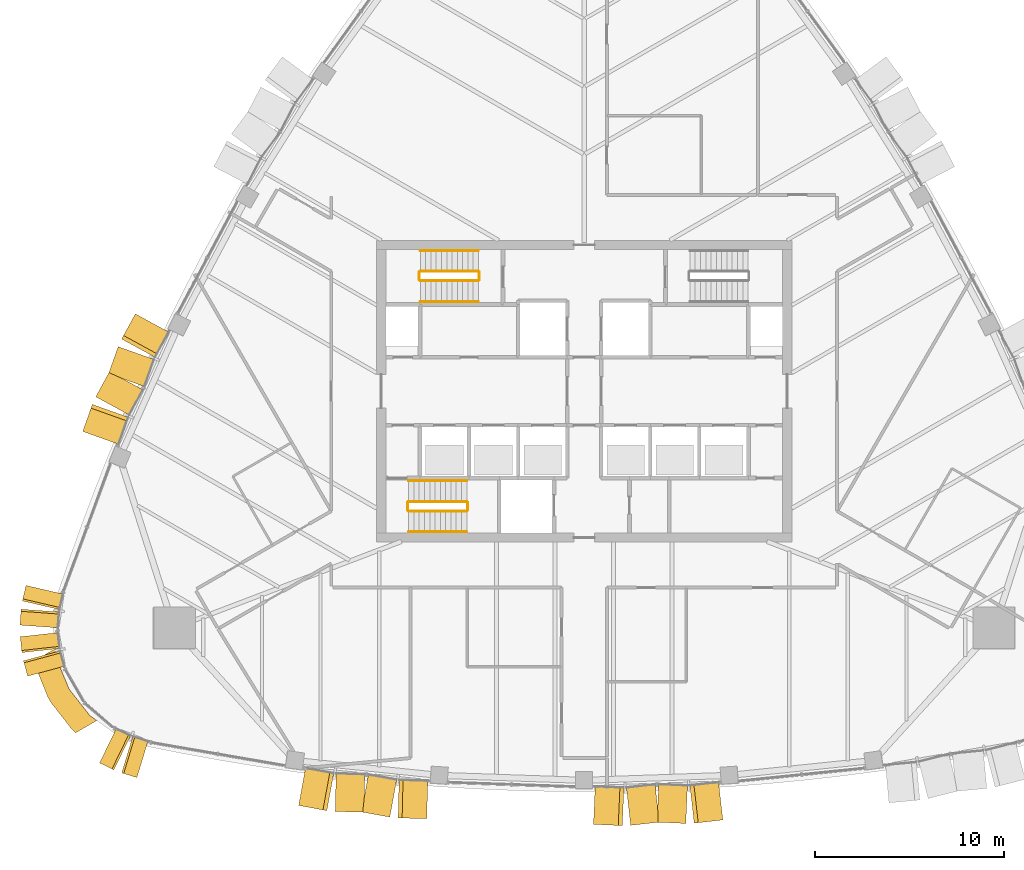
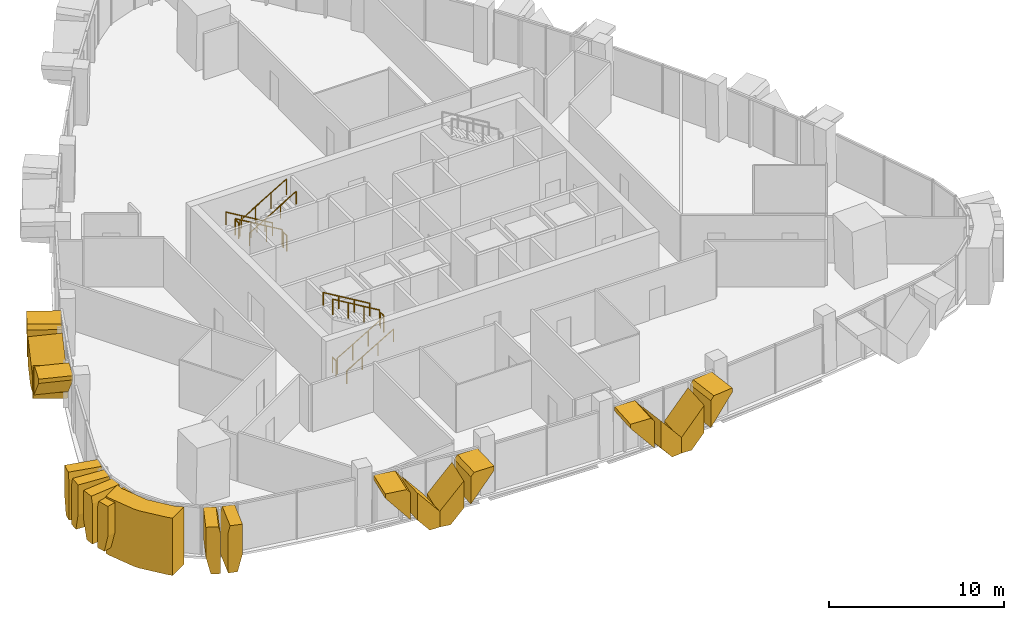
# One storey, part 15 of 18: 19 coverings, 12 railings.
"""IFC4 building model written with IfcOpenShell, lengths in metres."""

from ifc_helpers import new_model, si_unit, direction, frame, origin, origin_2d, place, context, subcontext, project, spatial, polyline, circle, outline, extrude, material, layer, layer_set, type_object, element, save


model = new_model("IFC4")

# Units and contexts
model_context = context("Model", 3, precision=1e-05, world=origin(), true_north=direction((0.0, 1.0)))
body_context = subcontext(model_context, "Body", "Model", "MODEL_VIEW")
ifc_project = project(units=[si_unit("LENGTHUNIT", "METRE"), si_unit("AREAUNIT", "SQUARE_METRE"), si_unit("VOLUMEUNIT", "CUBIC_METRE"), si_unit("PLANEANGLEUNIT", "RADIAN"), si_unit("MASSUNIT", "GRAM", prefix="KILO")], contexts=[model_context])

# Site, building, storey
site_placement = place(None, origin())
site = spatial("IfcSite", under=ifc_project, at=site_placement, CompositionType="ELEMENT")
building_placement = place(site_placement, origin())
building = spatial("IfcBuilding", under=site, at=building_placement, Name="Sierra Prisma Convention Tower", CompositionType="ELEMENT")
storey_placement = place(building_placement, frame((0.0, 0.0, 251.0)))
storey = spatial("IfcBuildingStorey", under=building, at=storey_placement, Name="L56", CompositionType="ELEMENT", Elevation=251.0)

# Coverings
ifc_material_1 = material(Name="Aluminium composite bronze anodised", Category="aluminium")
ifc_layer_1 = layer(ifc_material_1, 1.199951171875)
ifc_layer_set_1 = layer_set([ifc_layer_1], Name="Bronze corner pier")
covering_type_1 = type_object("IfcCoveringType", Name="Bronze corner pier", PredefinedType="CLADDING", material=ifc_layer_set_1)
covering_1_placement = place(storey_placement, frame((0.0, 0.0, -0.60009765625)))
element("IfcCovering", 1, at=covering_1_placement, inside=storey, type_object=covering_type_1, Name="Corner pier SW L56.1", PredefinedType="CLADDING", context=body_context, shape_type="SweptSolid", body=[
    extrude(outline(polyline([(-27.138916015625, -17.918701171875), (-28.2470703125, -16.502197265625), (-28.414794921875, -16.21142578125), (-29.08740234375, -14.54345703125), (-29.150390625, -14.28955078125), (-28.021484375, -13.637939453125), (-27.974609375, -14.0947265625), (-27.302001953125, -15.7626953125), (-26.193603515625, -17.17919921875), (-25.821533203125, -17.448486328125), (-26.950439453125, -18.10009765625), (-27.138916015625, -17.918701171875)])), origin(), (0.0, 0.0, 1.0), 4.0),
])
ifc_material_2 = material(Name="Aluminium 6063-T6 bronze anodised", Category="aluminium")
ifc_layer_2 = layer(ifc_material_2, 2.0)
ifc_layer_set_2 = layer_set([ifc_layer_2], Name="Bronze crystal chevron frame")
covering_type_2 = type_object("IfcCoveringType", Name="Bronze crystal chevron frame", PredefinedType="CLADDING", material=ifc_layer_set_2)
covering_2_placement = place(storey_placement, frame((-15.12890625, -21.9462890625, 3.280029296875), z_axis=(-0.180125856992, -0.983643571312, 1.6122833e-05), x_axis=(-2.904139e-06, -1.5859121e-05, -0.99999999987)))
element("IfcCovering", 2, at=covering_2_placement, inside=storey, type_object=covering_type_2, Name="CW-2 chevron frame S2.1.1", PredefinedType="CLADDING", context=body_context, shape_type="SweptSolid", body=[
    extrude(outline(polyline([(0.0, 0.0), (0.2971191405863826, 1.2583485068462934e-22), (2.1452636716629376, 1.5207239682084372), (0.25683593753338174, 1.5207239682084372), (-5.681236291774811e-10, 1.309498305857483), (0.0, 0.0)])), origin(), (0.0, 0.0, -1.0), 2.0),
])
covering_3_placement = place(storey_placement, frame((-13.19189453125, -22.265625, 2.865234375), z_axis=(-0.023909438631, -0.999714128343, 1.832811e-05), x_axis=(-4.38215e-07, -1.832287e-05, -0.999999999832)))
element("IfcCovering", 3, at=covering_3_placement, inside=storey, type_object=covering_type_2, Name="CW-2 chevron frame S2.1.2", PredefinedType="CLADDING", context=body_context, shape_type="SweptSolid", body=[
    extrude(outline(polyline([(0.0, 0.0), (1.8884277340578202, -9.997253184527608e-23), (2.865234375822905, 0.8036982525833232), (2.8652343748468847, 1.5206988243636537), (1.8481445312677145, 1.5206988243636537), (0.0, 0.0)])), origin(), (0.0, 0.0, -1.0), 2.0),
])
covering_4_placement = place(storey_placement, frame((-11.795166015625, -22.289306640625, 0.0), z_axis=(-0.180126512305, -0.983643451437, -3.202104e-06), x_axis=(0.983643451442, -0.180126512306, -4.2e-11)))
element("IfcCovering", 4, at=covering_4_placement, inside=storey, type_object=covering_type_2, Name="CW-2 chevron frame S2.2.1", PredefinedType="CLADDING", context=body_context, shape_type="SweptSolid", body=[
    extrude(outline(polyline([(0.0, 0.0), (0.717049037164414, -5.293955920339377e-23), (1.5207239681702747, 0.9768066406931902), (1.5207239680918152, 2.8652343750585088), (-4.225760053683342e-11, 1.0170898437447857), (0.0, 0.0)])), origin(), (0.0, 0.0, -1.0), 2.0),
])
covering_5_placement = place(storey_placement, frame((-8.337646484375, -22.645263671875, 3.280029296875), z_axis=(-0.024074942602, -0.999710156422, -1.6902033e-05), x_axis=(-0.999710156565, 0.024074942605, 4.77e-10)))
element("IfcCovering", 5, at=covering_5_placement, inside=storey, type_object=covering_type_2, Name="CW-2 chevron frame S2.2.2", PredefinedType="CLADDING", context=body_context, shape_type="SweptSolid", body=[
    extrude(outline(polyline([(0.0, 0.0), (1.3097048919073229, -1.0587911840678754e-22), (1.52094875389991, 0.25683593826175494), (1.5209487529996564, 2.1452636723670135), (-1.4164301951725344e-10, 0.2971191405825597), (0.0, 0.0)])), origin(), (0.0, 0.0, -1.0), 2.0),
])
covering_6_placement = place(storey_placement, frame((0.490966796875, -22.947265625, 3.280029296875), z_axis=(-0.044233536911, -0.999021218093, 3.637686e-06), x_axis=(-1.60908e-07, -3.634126e-06, -0.999999999993)))
element("IfcCovering", 6, at=covering_6_placement, inside=storey, type_object=covering_type_2, Name="CW-2 chevron frame S4.1.1", PredefinedType="CLADDING", context=body_context, shape_type="SweptSolid", body=[
    extrude(outline(polyline([(0.0, 0.0), (0.29418945312305356, -7.787129985362487e-24), (2.143066406239258, 1.5288401929083826), (0.25976562500171874, 1.5288401929083826), (-2.881421217613514e-11, 1.3137855591518406), (0.0, 0.0)])), origin(), (0.0, 0.0, -1.0), 2.0),
])
covering_7_placement = place(storey_placement, frame((2.46142578125, -22.999755859375, 2.863037109375), z_axis=(0.112436803876, -0.993658877585, 1.1448765e-05), x_axis=(1.287263e-06, -1.1376167e-05, -0.999999999934)))
element("IfcCovering", 7, at=covering_7_placement, inside=storey, type_object=covering_type_2, Name="CW-2 chevron frame S4.1.2", PredefinedType="CLADDING", context=body_context, shape_type="SweptSolid", body=[
    extrude(outline(polyline([(0.0, 0.0), (1.8833007811265738, 3.9880445282712847e-22), (2.8630371096955654, 0.810309059164532), (2.863037109315783, 1.528735607097577), (1.848876953132248, 1.528735607097577), (0.0, 0.0)])), origin(), (0.0, 0.0, -1.0), 2.0),
])
covering_8_placement = place(storey_placement, frame((3.8564453125, -22.83203125, 0.0), z_axis=(-0.044416116013, -0.999013117057, 2.4211093e-05), x_axis=(0.99901311735, -0.044416116026, -2.364e-09)))
element("IfcCovering", 8, at=covering_8_placement, inside=storey, type_object=covering_type_2, Name="CW-2 chevron frame S4.2.1", PredefinedType="CLADDING", context=body_context, shape_type="SweptSolid", body=[
    extrude(outline(polyline([(0.0, 0.0), (0.7184856143086211, 2.117582368135751e-22), (1.5286071093243503, 0.9797363320256174), (1.5286071048724235, 2.863037112723644), (-2.397368885868384e-09, 1.0141601559527613), (0.0, 0.0)])), origin(), (0.0, 0.0, -1.0), 2.0),
])
covering_9_placement = place(storey_placement, frame((7.345947265625, -22.712646484375, 3.280029296875), z_axis=(0.112587717656, -0.993641789491, -3.118108e-06), x_axis=(-0.993641789496, -0.112587717657, 1.6e-11)))
element("IfcCovering", 9, at=covering_9_placement, inside=storey, type_object=covering_type_2, Name="CW-2 chevron frame S4.2.2", PredefinedType="CLADDING", context=body_context, shape_type="SweptSolid", body=[
    extrude(outline(polyline([(0.0, 0.0), (1.3140196404112992, 5.293955920339377e-23), (1.5287630749939145, 0.25976562502589345), (1.5287630749635717, 2.143066406266738), (-4.739840885757373e-12, 0.29418945312356987), (0.0, 0.0)])), origin(), (0.0, 0.0, -1.0), 2.0),
])
covering_10_placement = place(storey_placement, frame((-23.7802734375, 4.101806640625, 3.280029296875), z_axis=(-0.877765751004, 0.479090056489, 6.4317652e-05), x_axis=(-5.6455832e-05, 3.0813948e-05, -0.999999997932)))
element("IfcCovering", 10, at=covering_10_placement, inside=storey, type_object=covering_type_2, Name="CW-2 chevron frame NW5.1.1", PredefinedType="CLADDING", context=body_context, shape_type="SweptSolid", body=[
    extrude(outline(polyline([(0.0, 0.0), (0.29711914001044465, 0.0), (2.145263668500248, 1.5205932866669247), (0.2568359380312344, 1.5205932866669247), (-9.041083716540207e-09, 1.3094002739118844), (0.0, 0.0)])), origin(), (0.0, 0.0, -1.0), 2.0),
])
covering_11_placement = place(storey_placement, frame((-24.68994140625, 2.3623046875, 2.865234375), z_axis=(-0.941937429005, 0.335788443577, 3.1620736e-05), x_axis=(-2.9784755e-05, 1.0617878e-05, -0.9999999995)))
element("IfcCovering", 11, at=covering_11_placement, inside=storey, type_object=covering_type_2, Name="CW-2 chevron frame NW5.1.2", PredefinedType="CLADDING", context=body_context, shape_type="SweptSolid", body=[
    extrude(outline(polyline([(0.0, 0.0), (1.888427733430908, 0.0), (2.8652343774493914, 0.8037915008755254), (2.8652343745442486, 1.5209370753120155), (1.8481445313027276, 1.5209370753120155), (0.0, 0.0)])), origin(), (0.0, 0.0, -1.0), 2.0),
])
covering_12_placement = place(storey_placement, frame((-25.14990234375, 1.043212890625, 0.0), z_axis=(-0.877794800081, 0.479036834574, 8.429895e-06), x_axis=(-0.479036834591, -0.877794800113, -2.88e-10)))
element("IfcCovering", 12, at=covering_12_placement, inside=storey, type_object=covering_type_2, Name="CW-2 chevron frame NW5.2.1", PredefinedType="CLADDING", context=body_context, shape_type="SweptSolid", body=[
    extrude(outline(polyline([(0.0, 0.0), (0.7170312062891318, 4.235164736271502e-22), (1.5208075879599858, 0.9768066410976368), (1.520807587416197, 2.8652343754055383), (-2.928795901545641e-10, 1.0170898437138611), (0.0, 0.0)])), origin(), (0.0, 0.0, -1.0), 2.0),
])
covering_13_placement = place(storey_placement, frame((-26.570556640625, -2.12890625, 3.280029296875), z_axis=(-0.941909223551, 0.335867550156, 5.7814729e-05), x_axis=(0.335867550717, 0.941909225125, 5.579e-09)))
element("IfcCovering", 13, at=covering_13_placement, inside=storey, type_object=covering_type_2, Name="CW-2 chevron frame NW5.2.2", PredefinedType="CLADDING", context=body_context, shape_type="SweptSolid", body=[
    extrude(outline(polyline([(0.0, 0.0), (1.3095114091120506, -3.3881317890172014e-21), (1.5207071128024778, 0.2568359464127101), (1.5207071022676317, 2.1452636776316347), (-1.6575187697861804e-09, 0.29711914012843327), (0.0, 0.0)])), origin(), (0.0, 0.0, -1.0), 2.0),
])
covering_14_placement = place(storey_placement, frame((-29.57470703125, -10.288330078125, 3.280029296875), z_axis=(-0.973989096232, 0.226594881445, -1.1183391e-05), x_axis=(1.0892501e-05, -2.534099e-06, -0.999999999937)))
element("IfcCovering", 14, at=covering_14_placement, inside=storey, type_object=covering_type_2, Name="CW-2 chevron frame SW1.1.1", PredefinedType="CLADDING", context=body_context, shape_type="SweptSolid", body=[
    extrude(outline(polyline([(0.0, 0.0), (2.0771484373701075, -8.79706581450145e-22), (3.280029298179183, 0.291486801021008), (3.2800292969017137, 0.8437185279059524), (0.462158203327927, 0.8437185279059524), (8.694908754609976e-10, 0.7319106654503449), (0.0, 0.0)])), origin(), (0.0, 0.0, -1.0), 2.0),
])
covering_15_placement = place(storey_placement, frame((-29.83203125, -11.548583984375, 0.0), z_axis=(-0.997441806714, 0.071483160382, 7.31597e-07), x_axis=(-0.071483160382, -0.997441806714, -8e-11)))
element("IfcCovering", 15, at=covering_15_placement, inside=storey, type_object=covering_type_2, Name="CW-2 chevron frame SW1.1.2", PredefinedType="CLADDING", context=body_context, shape_type="SweptSolid", body=[
    extrude(outline(polyline([(0.0, 0.0), (0.5524429760098668, -6.617444900424222e-24), (0.843710509756813, 1.2028808594484814), (0.8437105095902098, 3.280029296947925), (0.11186275607507884, 3.2800292968388387), (-2.2601487689170522e-10, 2.817871093749246), (0.0, 0.0)])), origin(), (0.0, 0.0, -1.0), 2.0),
])
covering_16_placement = place(storey_placement, frame((-29.881103515625, -13.00634765625, 3.280029296875), z_axis=(-0.994127856763, -0.108211849466, -6.525818e-06), x_axis=(6.487498e-06, 7.06171e-07, -0.999999999979)))
element("IfcCovering", 16, at=covering_16_placement, inside=storey, type_object=covering_type_2, Name="CW-2 chevron frame SW2.1.1", PredefinedType="CLADDING", context=body_context, shape_type="SweptSolid", body=[
    extrude(outline(polyline([(0.0, 0.0), (2.077148437455771, 2.1992664536253623e-22), (3.2800292964785935, 0.2915012437950286), (3.280029296785886, 0.8438219110381298), (0.4621582030958871, 0.8438219110381298), (-5.956813680132055e-10, 0.7318265753039795), (0.0, 0.0)])), origin(), (0.0, 0.0, -1.0), 2.0),
])
covering_17_placement = place(storey_placement, frame((-29.70751953125, -14.28076171875, 0.0), z_axis=(-0.965026396765, -0.262152729427, -1.26577e-06), x_axis=(0.262152729427, -0.965026396765, 1.57e-10)))
element("IfcCovering", 17, at=covering_17_placement, inside=storey, type_object=covering_type_2, Name="CW-2 chevron frame SW2.1.2", PredefinedType="CLADDING", context=body_context, shape_type="SweptSolid", body=[
    extrude(outline(polyline([(0.0, 0.0), (0.5525083542689948, -2.6469779601696886e-23), (0.8437190934686319, 1.2028808592307942), (0.8437190937949848, 3.2800292967291305), (0.1120520076682506, 3.280029296956898), (4.4273206314447623e-10, 2.8178710937477427), (0.0, 0.0)])), origin(), (0.0, 0.0, -1.0), 2.0),
])
covering_18_placement = place(storey_placement, frame((-25.67626953125, -19.6923828125, 3.280029296875), z_axis=(-0.436968633716, -0.899476743886, 1.8884914e-05), x_axis=(-8.252115e-06, -1.6986541e-05, -0.999999999822)))
element("IfcCovering", 18, at=covering_18_placement, inside=storey, type_object=covering_type_2, Name="CW-2 chevron frame SW5.1.1", PredefinedType="CLADDING", context=body_context, shape_type="SweptSolid", body=[
    extrude(outline(polyline([(0.0, 0.0), (2.077148437129603, 1.75941316290029e-21), (3.280029299330855, 0.29131742509819114), (3.280029296803584, 0.8436026263488685), (0.4621582035560662, 0.8436026263488685), (1.1392637362695149e-09, 0.7317915557175472), (0.0, 0.0)])), origin(), (0.0, 0.0, -1.0), 2.0),
])
covering_19_placement = place(storey_placement, frame((-24.504638671875, -20.222900390625, 0.0), z_axis=(-0.290548049403, -0.956860402329, 3.7983448e-05), x_axis=(0.956860403019, -0.290548049613, -9.696e-09)))
element("IfcCovering", 19, at=covering_19_placement, inside=storey, type_object=covering_type_2, Name="CW-2 chevron frame SW5.1.2", PredefinedType="CLADDING", context=body_context, shape_type="SweptSolid", body=[
    extrude(outline(polyline([(0.0, 0.0), (0.5524373508744971, -8.470329472543003e-22), (0.8437616081112924, 1.202880868121616), (0.8437615879712916, 3.280029304123221), (0.11198839776816363, 3.2800292982669164), (-2.732203681069773e-08, 2.817871091717269), (0.0, 0.0)])), origin(), (0.0, 0.0, -1.0), 2.0),
])

# Railings
ifc_material_3 = material(Name="Stainless steel", Category="steel")
railing_type_1 = type_object("IfcRailingType", Name="Exit stair handrail", PredefinedType="HANDRAIL", material=ifc_material_3)
railing_1_placement = place(storey_placement, frame((-9.300048828125, -7.449951171875, 0.166748046875)))
element("IfcRailing", 20, at=railing_1_placement, inside=storey, type_object=railing_type_1, Name="L56 S1 stair handrail 1", PredefinedType="HANDRAIL", context=body_context, shape_type="SweptSolid", body=[
    extrude(circle(Radius=0.02392578125, at=origin_2d()), frame((0.0, 0.0, 0.8759765625), z_axis=(0.859308565015, 0.0, 0.511457515432), x_axis=(0.0, 1.0, 0.0)), (0.0, 0.0, 1.0), 3.58447265625),
    extrude(circle(Radius=0.02099609375, at=origin_2d()), origin(), (0.0, 0.0, 1.0), 0.851806640625),
    extrude(circle(Radius=0.02099609375, at=origin_2d()), frame((1.026611328125, 0.0, 0.611083984375)), (0.0, 0.0, 1.0), 0.851806640625),
    extrude(circle(Radius=0.02099609375, at=origin_2d()), frame((2.053466796875, 0.0, 1.22216796875)), (0.0, 0.0, 1.0), 0.851806640625),
    extrude(circle(Radius=0.02099609375, at=origin_2d()), frame((3.080078125, 0.0, 1.833251953125)), (0.0, 0.0, 1.0), 0.851806640625),
])
railing_2_placement = place(storey_placement, frame((-6.219970703125, -4.75, 2.166748046875)))
element("IfcRailing", 21, at=railing_2_placement, inside=storey, type_object=railing_type_1, Name="L56 S1 stair handrail 2", PredefinedType="HANDRAIL", context=body_context, shape_type="SweptSolid", body=[
    extrude(circle(Radius=0.02392578125, at=origin_2d()), frame((0.0, 0.0, 0.8759765625), z_axis=(-0.859308565015, 0.0, 0.511457515432), x_axis=(0.0, -1.0, 0.0)), (0.0, 0.0, 1.0), 3.58447265625),
    extrude(circle(Radius=0.02099609375, at=origin_2d()), origin(), (0.0, 0.0, 1.0), 0.851806640625),
    extrude(circle(Radius=0.02099609375, at=origin_2d()), frame((-1.026611328125, 0.0, 0.611083984375)), (0.0, 0.0, 1.0), 0.851806640625),
    extrude(circle(Radius=0.02099609375, at=origin_2d()), frame((-2.053466796875, 0.0, 1.22216796875)), (0.0, 0.0, 1.0), 0.851806640625),
    extrude(circle(Radius=0.02099609375, at=origin_2d()), frame((-3.080078125, 0.0, 1.833251953125)), (0.0, 0.0, 1.0), 0.851806640625),
])
railing_3_placement = place(storey_placement, frame((-5.60009765625, 7.449951171875, 0.166748046875)))
element("IfcRailing", 22, at=railing_3_placement, inside=storey, type_object=railing_type_1, Name="L56 S3 stair handrail 1", PredefinedType="HANDRAIL", context=body_context, shape_type="SweptSolid", body=[
    extrude(circle(Radius=0.02392578125, at=origin_2d()), frame((0.0, 0.0, 0.8759765625), z_axis=(-0.859290745958, 0.0, 0.51148745235), x_axis=(0.0, -1.0, 0.0)), (0.0, 0.0, 1.0), 3.584228515625),
    extrude(circle(Radius=0.02099609375, at=origin_2d()), origin(), (0.0, 0.0, 1.0), 0.851806640625),
    extrude(circle(Radius=0.02099609375, at=origin_2d()), frame((-1.026611328125, 0.0, 0.611083984375)), (0.0, 0.0, 1.0), 0.851806640625),
    extrude(circle(Radius=0.02099609375, at=origin_2d()), frame((-2.05322265625, 0.0, 1.22216796875)), (0.0, 0.0, 1.0), 0.851806640625),
    extrude(circle(Radius=0.02099609375, at=origin_2d()), frame((-3.079833984375, 0.0, 1.833251953125)), (0.0, 0.0, 1.0), 0.851806640625),
])
railing_4_placement = place(storey_placement, frame((-8.679931640625, 4.75, 2.166748046875)))
element("IfcRailing", 23, at=railing_4_placement, inside=storey, type_object=railing_type_1, Name="L56 S3 stair handrail 2", PredefinedType="HANDRAIL", context=body_context, shape_type="SweptSolid", body=[
    extrude(circle(Radius=0.02392578125, at=origin_2d()), frame((0.0, 0.0, 0.8759765625), z_axis=(0.859290745958, 0.0, 0.51148745235), x_axis=(0.0, 1.0, 0.0)), (0.0, 0.0, 1.0), 3.584228515625),
    extrude(circle(Radius=0.02099609375, at=origin_2d()), origin(), (0.0, 0.0, 1.0), 0.851806640625),
    extrude(circle(Radius=0.02099609375, at=origin_2d()), frame((1.026611328125, 0.0, 0.611083984375)), (0.0, 0.0, 1.0), 0.851806640625),
    extrude(circle(Radius=0.02099609375, at=origin_2d()), frame((2.05322265625, 0.0, 1.22216796875)), (0.0, 0.0, 1.0), 0.851806640625),
    extrude(circle(Radius=0.02099609375, at=origin_2d()), frame((3.079833984375, 0.0, 1.833251953125)), (0.0, 0.0, 1.0), 0.851806640625),
])
ifc_material_4 = material(Name="Stainless steel", Category="steel")
railing_type_2 = type_object("IfcRailingType", Name="Stair guard 1100", PredefinedType="GUARDRAIL", material=ifc_material_4)
railing_5_placement = place(storey_placement, frame((-9.300048828125, -6.35009765625, 0.166748046875)))
element("IfcRailing", 24, at=railing_5_placement, inside=storey, type_object=railing_type_2, Name="L56 S1 stair guard 1", PredefinedType="GUARDRAIL", context=body_context, shape_type="SweptSolid", body=[
    extrude(circle(Radius=0.02392578125, at=origin_2d()), frame((0.0, 0.0, 1.076171875), z_axis=(0.859308565015, 0.0, 0.511457515432), x_axis=(0.0, 1.0, 0.0)), (0.0, 0.0, 1.0), 3.58447265625),
    extrude(circle(Radius=0.02099609375, at=origin_2d()), origin(), (0.0, 0.0, 1.0), 1.052001953125),
    extrude(circle(Radius=0.02099609375, at=origin_2d()), frame((1.026611328125, 0.0, 0.611083984375)), (0.0, 0.0, 1.0), 1.052001953125),
    extrude(circle(Radius=0.02099609375, at=origin_2d()), frame((2.053466796875, 0.0, 1.22216796875)), (0.0, 0.0, 1.0), 1.052001953125),
    extrude(circle(Radius=0.02099609375, at=origin_2d()), frame((3.080078125, 0.0, 1.833251953125)), (0.0, 0.0, 1.0), 1.052001953125),
])
railing_6_placement = place(storey_placement, frame((-6.169921875, -6.300048828125, 2.0)))
element("IfcRailing", 25, at=railing_6_placement, inside=storey, type_object=railing_type_2, Name="L56 S1 stair guard 2", PredefinedType="GUARDRAIL", context=body_context, shape_type="SweptSolid", body=[
    extrude(circle(Radius=0.02392578125, at=origin_2d()), frame((0.0, 0.0, 1.076171875), z_axis=(0.0, 1.0, 0.0), x_axis=(-1.0, 0.0, 0.0)), (0.0, 0.0, 1.0), 0.400146484375),
    extrude(circle(Radius=0.02099609375, at=origin_2d()), origin(), (0.0, 0.0, 1.0), 1.052001953125),
    extrude(circle(Radius=0.02099609375, at=origin_2d()), frame((0.0, 0.400146484375, 0.0)), (0.0, 0.0, 1.0), 1.052001953125),
])
railing_7_placement = place(storey_placement, frame((-6.219970703125, -5.85009765625, 2.166748046875)))
element("IfcRailing", 26, at=railing_7_placement, inside=storey, type_object=railing_type_2, Name="L56 S1 stair guard 3", PredefinedType="GUARDRAIL", context=body_context, shape_type="SweptSolid", body=[
    extrude(circle(Radius=0.02392578125, at=origin_2d()), frame((0.0, 0.0, 1.076171875), z_axis=(-0.859308565015, 0.0, 0.511457515432), x_axis=(0.0, -1.0, 0.0)), (0.0, 0.0, 1.0), 3.58447265625),
    extrude(circle(Radius=0.02099609375, at=origin_2d()), origin(), (0.0, 0.0, 1.0), 1.052001953125),
    extrude(circle(Radius=0.02099609375, at=origin_2d()), frame((-1.026611328125, 0.0, 0.611083984375)), (0.0, 0.0, 1.0), 1.052001953125),
    extrude(circle(Radius=0.02099609375, at=origin_2d()), frame((-2.053466796875, 0.0, 1.22216796875)), (0.0, 0.0, 1.0), 1.052001953125),
    extrude(circle(Radius=0.02099609375, at=origin_2d()), frame((-3.080078125, 0.0, 1.833251953125)), (0.0, 0.0, 1.0), 1.052001953125),
])
railing_8_placement = place(storey_placement, frame((-9.35009765625, -6.300048828125, 0.0)))
element("IfcRailing", 27, at=railing_8_placement, inside=storey, type_object=railing_type_2, Name="L56 S1 stair guard 4", PredefinedType="GUARDRAIL", context=body_context, shape_type="SweptSolid", body=[
    extrude(circle(Radius=0.02392578125, at=origin_2d()), frame((0.0, 0.0, 1.076171875), z_axis=(0.0, 1.0, 0.0), x_axis=(-1.0, 0.0, 0.0)), (0.0, 0.0, 1.0), 0.400146484375),
    extrude(circle(Radius=0.02099609375, at=origin_2d()), origin(), (0.0, 0.0, 1.0), 1.052001953125),
    extrude(circle(Radius=0.02099609375, at=origin_2d()), frame((0.0, 0.400146484375, 0.0)), (0.0, 0.0, 1.0), 1.052001953125),
])
railing_9_placement = place(storey_placement, frame((-5.60009765625, 6.35009765625, 0.166748046875)))
element("IfcRailing", 28, at=railing_9_placement, inside=storey, type_object=railing_type_2, Name="L56 S3 stair guard 1", PredefinedType="GUARDRAIL", context=body_context, shape_type="SweptSolid", body=[
    extrude(circle(Radius=0.02392578125, at=origin_2d()), frame((0.0, 0.0, 1.076171875), z_axis=(-0.859290745958, 0.0, 0.51148745235), x_axis=(0.0, -1.0, 0.0)), (0.0, 0.0, 1.0), 3.584228515625),
    extrude(circle(Radius=0.02099609375, at=origin_2d()), origin(), (0.0, 0.0, 1.0), 1.052001953125),
    extrude(circle(Radius=0.02099609375, at=origin_2d()), frame((-1.026611328125, 0.0, 0.611083984375)), (0.0, 0.0, 1.0), 1.052001953125),
    extrude(circle(Radius=0.02099609375, at=origin_2d()), frame((-2.05322265625, 0.0, 1.22216796875)), (0.0, 0.0, 1.0), 1.052001953125),
    extrude(circle(Radius=0.02099609375, at=origin_2d()), frame((-3.079833984375, 0.0, 1.833251953125)), (0.0, 0.0, 1.0), 1.052001953125),
])
railing_10_placement = place(storey_placement, frame((-8.72998046875, 6.300048828125, 2.0)))
element("IfcRailing", 29, at=railing_10_placement, inside=storey, type_object=railing_type_2, Name="L56 S3 stair guard 2", PredefinedType="GUARDRAIL", context=body_context, shape_type="SweptSolid", body=[
    extrude(circle(Radius=0.02392578125, at=origin_2d()), frame((0.0, 0.0, 1.076171875), z_axis=(0.0, -1.0, 0.0), x_axis=(1.0, 0.0, 0.0)), (0.0, 0.0, 1.0), 0.400146484375),
    extrude(circle(Radius=0.02099609375, at=origin_2d()), origin(), (0.0, 0.0, 1.0), 1.052001953125),
    extrude(circle(Radius=0.02099609375, at=origin_2d()), frame((0.0, -0.400146484375, 0.0)), (0.0, 0.0, 1.0), 1.052001953125),
])
railing_11_placement = place(storey_placement, frame((-8.679931640625, 5.85009765625, 2.166748046875)))
element("IfcRailing", 30, at=railing_11_placement, inside=storey, type_object=railing_type_2, Name="L56 S3 stair guard 3", PredefinedType="GUARDRAIL", context=body_context, shape_type="SweptSolid", body=[
    extrude(circle(Radius=0.02392578125, at=origin_2d()), frame((0.0, 0.0, 1.076171875), z_axis=(0.859290745958, 0.0, 0.51148745235), x_axis=(0.0, 1.0, 0.0)), (0.0, 0.0, 1.0), 3.584228515625),
    extrude(circle(Radius=0.02099609375, at=origin_2d()), origin(), (0.0, 0.0, 1.0), 1.052001953125),
    extrude(circle(Radius=0.02099609375, at=origin_2d()), frame((1.026611328125, 0.0, 0.611083984375)), (0.0, 0.0, 1.0), 1.052001953125),
    extrude(circle(Radius=0.02099609375, at=origin_2d()), frame((2.05322265625, 0.0, 1.22216796875)), (0.0, 0.0, 1.0), 1.052001953125),
    extrude(circle(Radius=0.02099609375, at=origin_2d()), frame((3.079833984375, 0.0, 1.833251953125)), (0.0, 0.0, 1.0), 1.052001953125),
])
railing_12_placement = place(storey_placement, frame((-5.550048828125, 6.300048828125, 0.0)))
element("IfcRailing", 31, at=railing_12_placement, inside=storey, type_object=railing_type_2, Name="L56 S3 stair guard 4", PredefinedType="GUARDRAIL", context=body_context, shape_type="SweptSolid", body=[
    extrude(circle(Radius=0.02392578125, at=origin_2d()), frame((0.0, 0.0, 1.076171875), z_axis=(0.0, -1.0, 0.0), x_axis=(1.0, 0.0, 0.0)), (0.0, 0.0, 1.0), 0.400146484375),
    extrude(circle(Radius=0.02099609375, at=origin_2d()), origin(), (0.0, 0.0, 1.0), 1.052001953125),
    extrude(circle(Radius=0.02099609375, at=origin_2d()), frame((0.0, -0.400146484375, 0.0)), (0.0, 0.0, 1.0), 1.052001953125),
])

save(model, "model.ifc")
